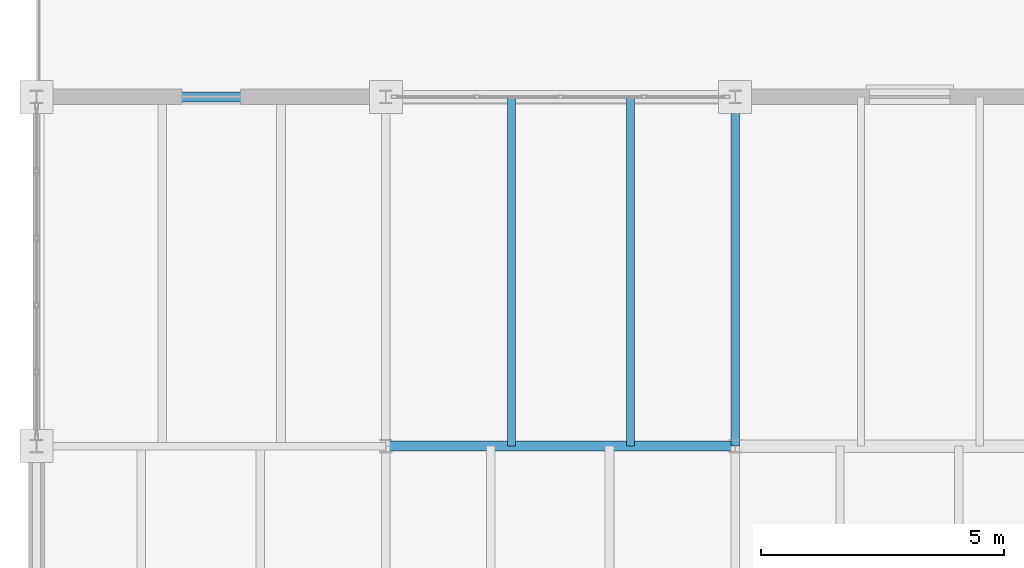
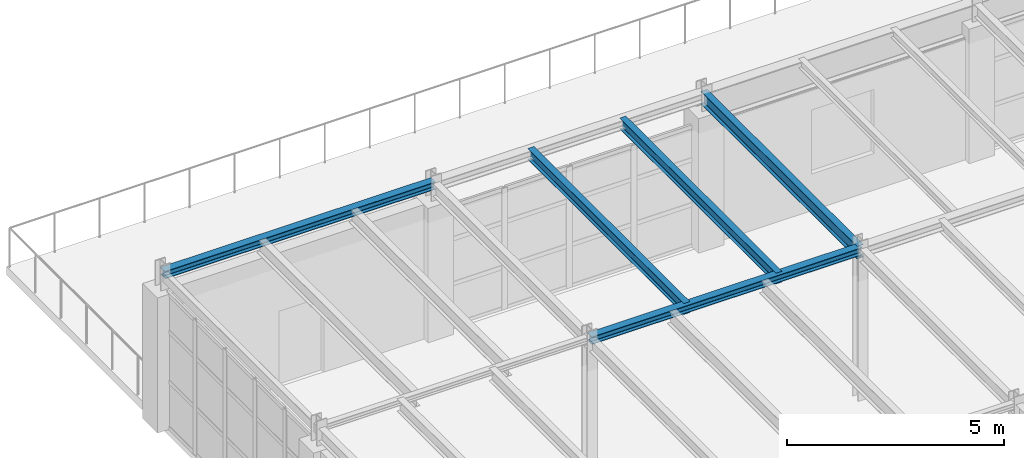
# One storey, part 71 of 101: 5 beams.
"""IFC4 building model written with IfcOpenShell, lengths in metres."""

from ifc_helpers import new_model, si_unit, direction, frame, origin, origin_2d, place, context, subcontext, project, spatial, i_section, extrude, material, material_profile, profile_set, type_object, element, save


model = new_model("IFC4")

# Units and contexts
model_context = context("Model", 3, precision=1e-05, world=origin(), true_north=direction((0.0, 1.0)))
body_context = subcontext(model_context, "Body", "Model", "MODEL_VIEW")
ifc_project = project(units=[si_unit("LENGTHUNIT", "METRE"), si_unit("AREAUNIT", "SQUARE_METRE"), si_unit("VOLUMEUNIT", "CUBIC_METRE"), si_unit("PLANEANGLEUNIT", "RADIAN"), si_unit("MASSUNIT", "GRAM", prefix="KILO")], contexts=[model_context])

# Site, building, storey
site_placement = place(None, origin())
site = spatial("IfcSite", under=ifc_project, at=site_placement, CompositionType="ELEMENT")
building_placement = place(site_placement, origin())
building = spatial("IfcBuilding", under=site, at=building_placement, Name="Kemerveld Promenade Tramway Depot", CompositionType="ELEMENT")
storey_placement = place(building_placement, frame((0.0, 0.0, 9.89990234375)))
storey = spatial("IfcBuildingStorey", under=building, at=storey_placement, Name="L02", CompositionType="ELEMENT", Elevation=9.89990234375)

# Beams
ifc_material = material(Name="Steel S355", Category="steel")
ifc_material_profile_1 = material_profile(ifc_material, i_section(OverallWidth=0.172119140625, OverallDepth=0.35791015625, WebThickness=0.008056640625, FlangeThickness=0.012939453125, FilletRadius=0.01025390625, at=origin_2d()), Name="356x171x57 UB")
ifc_profile_set_1 = profile_set([ifc_material_profile_1], Name="Steel S355")
beam_type_1 = type_object("IfcBeamType", Name="BM-G08", PredefinedType="BEAM", material=ifc_profile_set_1)
beam_placement = place(storey_placement, frame((14.39990234375, 64.800048828125, 4.106201171875), z_axis=(0.0, 1.0, 0.0), x_axis=(-1.0, 0.0, 0.0)))
element("IfcBeam", 1, at=beam_placement, inside=storey, type_object=beam_type_1, Name="BMY-L02-03-K-L", PredefinedType="BEAM", context=body_context, shape_type="SweptSolid", body=[
    extrude(i_section(OverallWidth=0.172119140625, OverallDepth=0.35791015625, WebThickness=0.008056640625, FlangeThickness=0.012939453125, FilletRadius=0.01025390625, at=origin_2d()), origin(), (0.0, 0.0, 1.0), 7.199951171875),
])
ifc_material_profile_2 = material_profile(ifc_material, i_section(OverallWidth=0.165771484375, OverallDepth=0.306640625, WebThickness=0.006591796875, FlangeThickness=0.01171875, FilletRadius=0.0087890625, at=origin_2d()), Name="305x165x46 UB")
ifc_profile_set_2 = profile_set([ifc_material_profile_2], Name="Steel S355")
beam_type_2 = type_object("IfcBeamType", Name="BM-J01", PredefinedType="JOIST", material=ifc_profile_set_2)
for number, where, z_axis, x_axis, name in (
    (2, (9.7919921875, 64.800048828125, 4.1318359375), (0.0, 1.0, 0.0), (-1.0, 0.0, 0.0), "JST-L02-02-K-1"),
    (3, (12.239990234375, 64.800048828125, 4.1318359375), (0.0, 1.0, 0.0), (-1.0, 0.0, 0.0), "JST-L02-02-K-2"),
):
    element("IfcBeam", number, at=place(storey_placement, frame(where, z_axis=z_axis, x_axis=x_axis)), inside=storey, type_object=beam_type_2, Name=name, PredefinedType="JOIST", context=body_context, shape_type="SweptSolid", body=[
        extrude(i_section(OverallWidth=0.165771484375, OverallDepth=0.306640625, WebThickness=0.006591796875, FlangeThickness=0.01171875, FilletRadius=0.0087890625, at=origin_2d()), origin(), (0.0, 0.0, 1.0), 7.199951171875),
    ])
ifc_material_profile_3 = material_profile(ifc_material, i_section(OverallWidth=0.205810546875, OverallDepth=0.209716796875, WebThickness=0.009521484375, FlangeThickness=0.01416015625, FilletRadius=0.01025390625, at=origin_2d()), Name="203x203x60 UC")
ifc_profile_set_3 = profile_set([ifc_material_profile_3], Name="Steel S355")
beam_type_3 = type_object("IfcBeamType", Name="BM-LN3", PredefinedType="LINTEL", material=ifc_profile_set_3)
for number, where, z_axis, x_axis, name in (
    (4, (7.199951171875, 64.800048828125, 4.18017578125), (1.0, 0.0, 0.0), (0.0, 1.0, 0.0), "BMX-L02-02-03-K"),
    (5, (0.0, 72.0, 4.18017578125), (1.0, 0.0, 0.0), (0.0, 1.0, 0.0), "BMX-L02-01-02-L"),
):
    element("IfcBeam", number, at=place(storey_placement, frame(where, z_axis=z_axis, x_axis=x_axis)), inside=storey, type_object=beam_type_3, Name=name, PredefinedType="LINTEL", context=body_context, shape_type="SweptSolid", body=[
        extrude(i_section(OverallWidth=0.205810546875, OverallDepth=0.209716796875, WebThickness=0.009521484375, FlangeThickness=0.01416015625, FilletRadius=0.01025390625, at=origin_2d()), origin(), (0.0, 0.0, 1.0), 7.199951171875),
    ])

save(model, "model.ifc")
